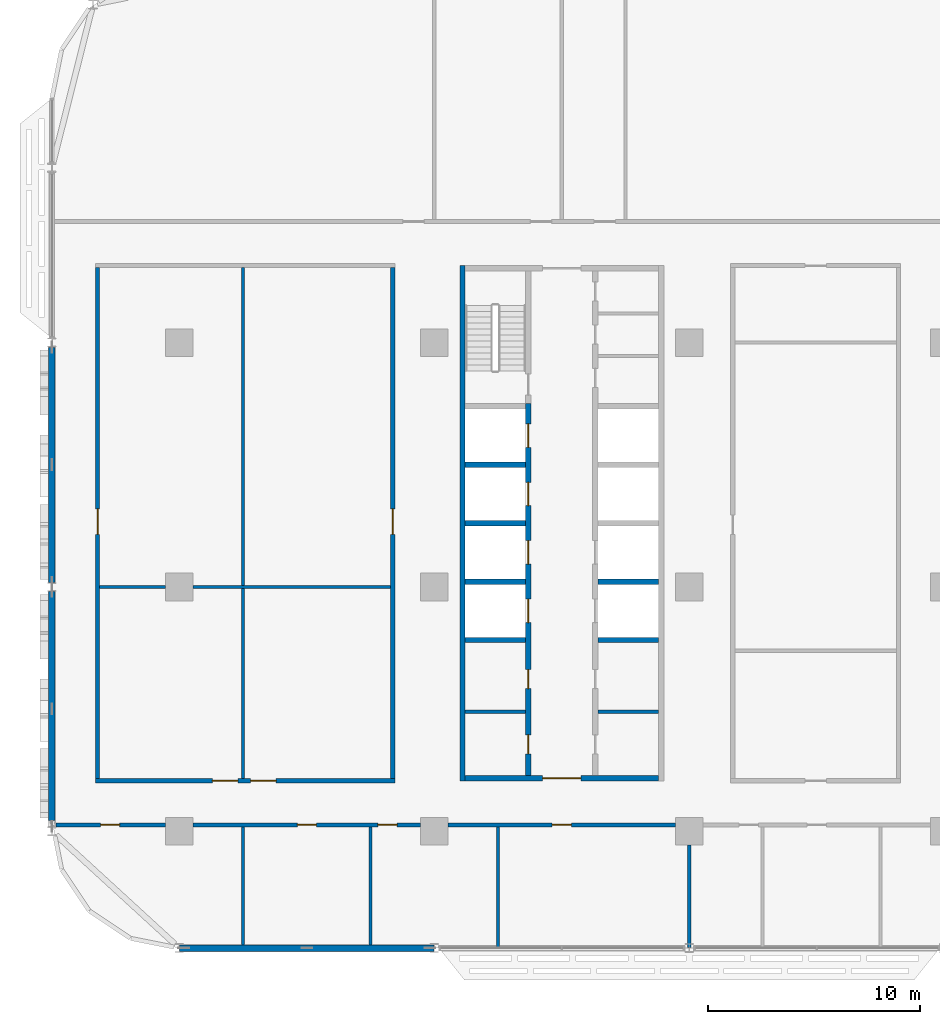
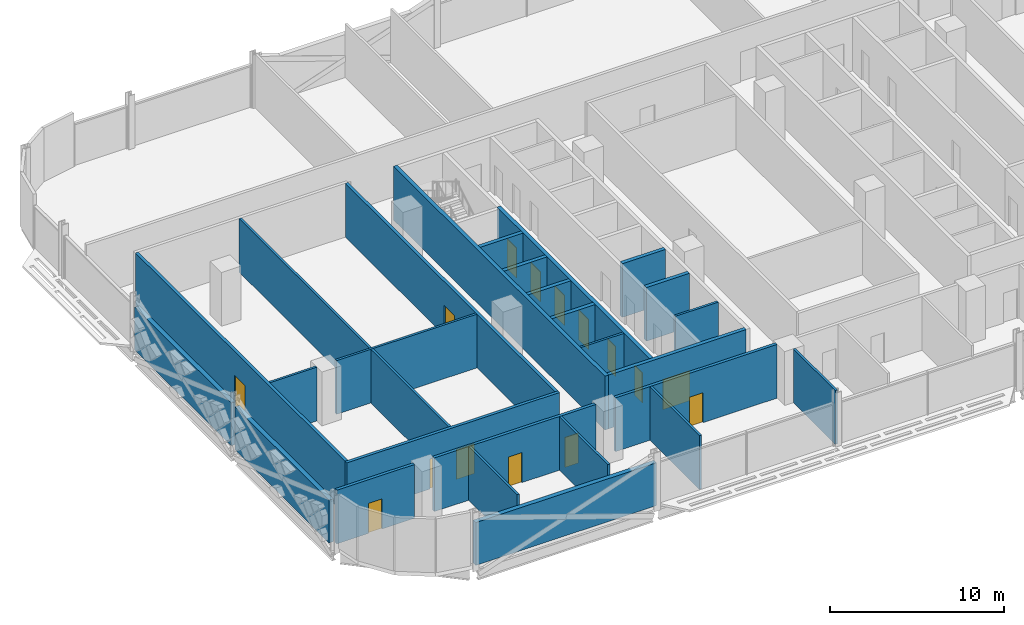
# One storey, part 13 of 29: 27 walls, 15 doors, 15 openings.
"""IFC4 building model written with IfcOpenShell, lengths in metres."""

import ifcopenshell
import ifcopenshell.guid

model = None  # the IFC model being written
_history = None  # IfcOwnerHistory: only IFC2X3 demands one
_inside = {}  # id of a spatial element -> (the spatial element, [elements in it])
_under = {}  # id of a project, library or spatial element -> (it, [spatial elements below it])
_declared = {}  # id of a project -> (the project, [libraries it declares])
_typed = {}  # id of a type object -> (the type object, [elements of that type])
_made_of = {}  # id of a material, layer set ... -> (it, [elements and type objects made of it])


def new_model(schema):
    """Start an empty IFC model of exactly this schema.

    Asked for "IFC4X3", IfcOpenShell would pick the latest addendum, in which some entities
    have other attributes; the version numbers below select the first issue.
    IFC2X3 requires an IfcOwnerHistory on every rooted entity: one is made here for all.
    """
    global model, _history
    if schema == "IFC4X3":
        model = ifcopenshell.file(schema_version=(4, 3, 0, 0))
    else:
        model = ifcopenshell.file(schema=schema)
    _inside.clear()
    _under.clear()
    _declared.clear()
    _typed.clear()
    _made_of.clear()
    _history = None
    if model.schema == "IFC2X3":
        org = make("IfcOrganization", Name="unknown")
        user = make(
            "IfcPersonAndOrganization",
            ThePerson=make("IfcPerson", FamilyName="unknown"),
            TheOrganization=org,
        )
        app = make(
            "IfcApplication",
            ApplicationDeveloper=org,
            Version="unknown",
            ApplicationFullName="unknown",
            ApplicationIdentifier="unknown",
        )
        _history = make(
            "IfcOwnerHistory",
            OwningUser=user,
            OwningApplication=app,
            ChangeAction="ADDED",
            CreationDate=0,
        )
    return model


def make(cls, **values):
    """One entity of the class cls with the attributes given. An attribute that is None is left unset."""
    return model.create_entity(
        cls, **{name: value for name, value in values.items() if value is not None}
    )


def rooted(cls, **values):
    """An entity with a GlobalId (a new one), such as an element, a storey or a relation."""
    return make(cls, GlobalId=ifcopenshell.guid.new(), OwnerHistory=_history, **values)


def si_unit(unit_type, name, prefix=None):
    """IfcSIUnit, for example si_unit("LENGTHUNIT", "METRE", prefix="MILLI")."""
    return make("IfcSIUnit", UnitType=unit_type, Prefix=prefix, Name=name)


def assignment(units):
    """IfcUnitAssignment: the units of a project."""
    return None if units is None else make("IfcUnitAssignment", Units=units)


def point(xyz):
    """IfcCartesianPoint."""
    return None if xyz is None else make("IfcCartesianPoint", Coordinates=xyz)


def direction(xyz):
    """IfcDirection."""
    return None if xyz is None else make("IfcDirection", DirectionRatios=xyz)


def frame(location, z_axis=None, x_axis=None):
    """IfcAxis2Placement3D, a coordinate frame: its origin and axes. An axis left out is left unset."""
    return make(
        "IfcAxis2Placement3D",
        Location=point(location),
        Axis=direction(z_axis),
        RefDirection=direction(x_axis),
    )


def frame_2d(location, x_axis=None):
    """IfcAxis2Placement2D, a coordinate frame in the plane: its origin and x axis."""
    return make(
        "IfcAxis2Placement2D", Location=point(location), RefDirection=direction(x_axis)
    )


def origin():
    """The frame at (0, 0, 0) with its axes left unset."""
    return frame((0.0, 0.0, 0.0))


def place(relative_to, where):
    """IfcLocalPlacement: puts the frame where relative to a parent placement (None: the world)."""
    return make(
        "IfcLocalPlacement", PlacementRelTo=relative_to, RelativePlacement=where
    )


def context(
    kind, dimensions, precision=None, world=None, true_north=None, identifier=None
):
    """IfcGeometricRepresentationContext, for example the 3D "Model" context."""
    return make(
        "IfcGeometricRepresentationContext",
        ContextIdentifier=identifier,
        ContextType=kind,
        CoordinateSpaceDimension=dimensions,
        Precision=precision,
        WorldCoordinateSystem=world,
        TrueNorth=true_north,
    )


def subcontext(parent, identifier, kind, view, scale=None):
    """IfcGeometricRepresentationSubContext, for example "Body" below "Model"."""
    return make(
        "IfcGeometricRepresentationSubContext",
        ContextIdentifier=identifier,
        ContextType=kind,
        ParentContext=parent,
        TargetScale=scale,
        TargetView=view,
    )


def project(units=None, contexts=None):
    """IfcProject with its units and contexts."""
    return rooted(
        "IfcProject",
        Name="project",
        RepresentationContexts=contexts,
        UnitsInContext=assignment(units),
    )


def spatial(cls, under=None, at=None, **own):
    """A site, building, storey or space (cls), placed at a placement, below another one or the project."""
    s = rooted(cls, ObjectPlacement=at, **own)
    if under is not None:
        _under.setdefault(under.id(), (under, []))[1].append(s)
    return s


def profile(cls, at=None, kind="AREA", **sizes):
    """A parametric profile (cls). Its sizes go by their IFC names, for example OverallWidth=200.0."""
    return make(cls, ProfileType=kind, Position=at, **sizes)


def rectangle(**sizes):
    """IfcRectangleProfileDef."""
    return profile("IfcRectangleProfileDef", **sizes)


def extrude(swept, where, along, depth):
    """IfcExtrudedAreaSolid: the profile swept, set in the frame where, extruded along a direction by depth."""
    return make(
        "IfcExtrudedAreaSolid",
        SweptArea=swept,
        Position=where,
        ExtrudedDirection=direction(along),
        Depth=depth,
    )


def shape(context_of_items, identifier, shape_type, items):
    """IfcShapeRepresentation: the items that make up one representation, for example the "Body"."""
    return make(
        "IfcShapeRepresentation",
        ContextOfItems=context_of_items,
        RepresentationIdentifier=identifier,
        RepresentationType=shape_type,
        Items=items,
    )


def material(Name=None, Category=None):
    """IfcMaterial."""
    return make("IfcMaterial", Name=Name, Category=Category)


def layer(
    of_material, thickness, ventilated=None, Name=None, Category=None, Priority=None
):
    """IfcMaterialLayer: one layer of a wall or slab, of a material (None: an air gap)."""
    return make(
        "IfcMaterialLayer",
        Material=of_material,
        LayerThickness=thickness,
        IsVentilated=ventilated,
        Name=Name,
        Category=Category,
        Priority=Priority,
    )


def layer_set(layers, Name=None):
    """IfcMaterialLayerSet."""
    return make("IfcMaterialLayerSet", MaterialLayers=layers, LayerSetName=Name)


def made_of(thing, what):
    """Note that an element or type object is made of a material, layer set ...; save() writes the relation."""
    if what is not None:
        _made_of.setdefault(what.id(), (what, []))[1].append(thing)
    return thing


def type_object(cls, material=None, **own):
    """A type object (cls), such as IfcWallType, which elements share."""
    return made_of(rooted(cls, **own), material)


def element(
    cls,
    number,
    at=None,
    inside=None,
    cuts=None,
    type_object=None,
    material=None,
    context=None,
    identifier="Body",
    shape_type=None,
    held_by="IfcProductDefinitionShape",
    body=None,
    shapes=None,
    **own,
):
    """One element of the class cls, such as IfcWall. Its Tag is "e" and its number.

    at: its placement. inside: the storey or other place that contains it. cuts: it is an
    opening in that element (IfcRelVoidsElement). A single representation is given by context,
    identifier, shape_type and body (its items); several are given by shapes. held_by: the class
    of the entity that holds the representations. save() writes the other relations.
    """
    e = rooted(cls, Tag="e%d" % number, ObjectPlacement=at, **own)
    if body is not None:
        shapes = [shape(context, identifier, shape_type, body)]
    if shapes is not None:
        e.Representation = make(held_by, Representations=shapes)
    if inside is not None:
        _inside.setdefault(inside.id(), (inside, []))[1].append(e)
    if cuts is not None:
        rooted(
            "IfcRelVoidsElement", RelatingBuildingElement=cuts, RelatedOpeningElement=e
        )
    if type_object is not None:
        _typed.setdefault(type_object.id(), (type_object, []))[1].append(e)
    return made_of(e, material)


def fill(opening, filler):
    """IfcRelFillsElement: the door or window that sits in an opening."""
    return rooted(
        "IfcRelFillsElement",
        RelatingOpeningElement=opening,
        RelatedBuildingElement=filler,
    )


def aggregate(whole, parts):
    """IfcRelAggregates: a whole, such as a stair, and the parts it consists of."""
    return rooted("IfcRelAggregates", RelatingObject=whole, RelatedObjects=parts)


def save(model, path):
    """Write the relations noted so far, then the file.

    IfcRelAggregates (storeys below a building ...), IfcRelContainedInSpatialStructure (elements
    in a storey), IfcRelDefinesByType, IfcRelAssociatesMaterial and IfcRelDeclares: one each for
    every whole, place, type object, material and project.
    """
    for whole, parts in _under.values():
        aggregate(whole, parts)
    for where, things in _inside.values():
        rooted(
            "IfcRelContainedInSpatialStructure",
            RelatedElements=things,
            RelatingStructure=where,
        )
    for kind, things in _typed.values():
        rooted("IfcRelDefinesByType", RelatedObjects=things, RelatingType=kind)
    for what, things in _made_of.values():
        rooted("IfcRelAssociatesMaterial", RelatedObjects=things, RelatingMaterial=what)
    for by, libraries in _declared.values():
        rooted("IfcRelDeclares", RelatingContext=by, RelatedDefinitions=libraries)
    model.write(path)


model = new_model("IFC4")

# Units and contexts
model_context = context("Model", 3, precision=1e-05, world=origin(), true_north=direction((0.0, 1.0)))
body_context = subcontext(model_context, "Body", "Model", "MODEL_VIEW")
ifc_project = project(units=[si_unit("LENGTHUNIT", "METRE"), si_unit("AREAUNIT", "SQUARE_METRE"), si_unit("VOLUMEUNIT", "CUBIC_METRE"), si_unit("PLANEANGLEUNIT", "RADIAN"), si_unit("MASSUNIT", "GRAM", prefix="KILO")], contexts=[model_context])

# Site, building, storey
site_placement = place(None, origin())
site = spatial("IfcSite", under=ifc_project, at=site_placement, CompositionType="ELEMENT")
building_placement = place(site_placement, origin())
building = spatial("IfcBuilding", under=site, at=building_placement, Name="Mahtab Terrace Research Tower", CompositionType="ELEMENT")
storey_placement = place(building_placement, frame((0.0, 0.0, 146.60009765625)))
storey = spatial("IfcBuildingStorey", under=building, at=storey_placement, Name="L34", CompositionType="ELEMENT", Elevation=146.60009765625)

# Walls
ifc_material_1 = material(Name="Gypsum board partition")
ifc_layer_1 = layer(ifc_material_1, 0.14990234375)
ifc_layer_set_1 = layer_set([ifc_layer_1], Name="Core partition 150")
wall_type_1 = type_object("IfcWallType", Name="Core partition 150", PredefinedType="PARTITIONING", material=ifc_layer_set_1)
for number, where, z_axis, x_axis, name in (
    (1, (-28.550048828125, -5.875, 0.0), (0.0, 0.0, 1.0), (1.0, 0.0, 0.0), "Core wall A pWS-888"),
    (2, (-22.300048828125, -5.875, 0.0), (0.0, 0.0, 1.0), (1.0, 0.0, 0.0), "Core wall A pES-888"),
):
    element("IfcWall", number, at=place(storey_placement, frame(where, z_axis=z_axis, x_axis=x_axis)), inside=storey, type_object=wall_type_1, Name=name, PredefinedType="PARTITIONING", context=body_context, shape_type="SweptSolid", body=[
        extrude(rectangle(XDim=2.85009765625, YDim=0.14990234375, at=frame_2d((1.425048828125, 0.0))), origin(), (0.0, 0.0, 1.0), 3.760009765625),
    ])
ifc_material_2 = material(Name="Concrete C70/85", Category="concrete")
ifc_layer_2 = layer(ifc_material_2, 0.25)
ifc_layer_set_2 = layer_set([ifc_layer_2], Name="Core wall 250")
wall_type_2 = type_object("IfcWallType", Name="Core wall 250", PredefinedType="SOLIDWALL", material=ifc_layer_set_2)
wall_1_placement = place(storey_placement, frame((-28.675048828125, 15.125, 0.0), z_axis=(0.0, 0.0, 1.0), x_axis=(0.0, -1.0, 0.0)))
element("IfcWall", 3, at=wall_1_placement, inside=storey, type_object=wall_type_2, Name="Core wall A outerW", PredefinedType="SOLIDWALL", context=body_context, shape_type="SweptSolid", body=[
    extrude(rectangle(XDim=24.25, YDim=0.25, at=frame_2d((12.125, 0.0))), origin(), (0.0, 0.0, 1.0), 3.760009765625),
])

# Wall, opening, door
wall_2_placement = place(storey_placement, frame((-19.449951171875, -9.0, 0.0), z_axis=(0.0, 0.0, 1.0), x_axis=(-1.0, 0.0, 0.0)))
wall_2 = element("IfcWall", 4, at=wall_2_placement, inside=storey, type_object=wall_type_2, Name="Core wall A endS", PredefinedType="SOLIDWALL", context=body_context, shape_type="SweptSolid", body=[
    extrude(rectangle(XDim=9.10009765625, YDim=0.25, at=frame_2d((4.550048828125, 0.0))), origin(), (0.0, 0.0, 1.0), 3.760009765625),
])
opening_1_placement = place(wall_2_placement, frame((3.64990234375, 0.0, 0.0)))
opening_1 = element("IfcOpeningElement", 5, at=opening_1_placement, cuts=wall_2, Name="Opening A-S1", PredefinedType="OPENING", context=body_context, shape_type="SweptSolid", body=[
    extrude(rectangle(XDim=1.800048828125, YDim=2.10009765625, at=frame_2d((0.89990234375, 1.050048828125))), frame((0.0, 0.135009765625, 0.0), z_axis=(0.0, -1.0, 0.0), x_axis=(1.0, 0.0, 0.0)), (0.0, 0.0, 1.0), 0.27001953125),
])
ifc_material_3 = material(Name="Steel fire door", Category="steel")
door_type_1 = type_object("IfcDoorType", Name="Lobby double door 1800x2100 1 HR", OperationType="DOUBLE_DOOR_SINGLE_SWING", PredefinedType="DOOR", material=ifc_material_3)
door_1_placement = place(opening_1_placement, origin())
door_1 = element("IfcDoor", 6, at=door_1_placement, inside=storey, type_object=door_type_1, Name="Core entrance door A S", OperationType="DOUBLE_DOOR_SINGLE_SWING", OverallHeight=2.10009765625, OverallWidth=1.800048828125, PredefinedType="DOOR", context=body_context, shape_type="SweptSolid", body=[
    extrude(rectangle(XDim=1.800048828125, YDim=2.10009765625, at=frame_2d((0.89990234375, 1.050048828125))), frame((0.0, 0.02490234375, 0.0), z_axis=(0.0, -1.0, 0.0), x_axis=(1.0, 0.0, 0.0)), (0.0, 0.0, 1.0), 0.050048828125),
])
fill(opening_1, door_1)

# Wall, openings, doors
wall_3_placement = place(storey_placement, frame((-25.574951171875, -8.875, 0.0), z_axis=(0.0, 0.0, 1.0), x_axis=(0.0, 1.0, 0.0)))
wall_3 = element("IfcWall", 7, at=wall_3_placement, inside=storey, type_object=wall_type_2, Name="Core wall A innerWSL", PredefinedType="SOLIDWALL", context=body_context, shape_type="SweptSolid", body=[
    extrude(rectangle(XDim=17.5, YDim=0.25, at=frame_2d((8.75, 0.0))), origin(), (0.0, 0.0, 1.0), 3.760009765625),
])
opening_2_placement = place(wall_3_placement, frame((7.199951171875, 0.0, 0.0)))
opening_2 = element("IfcOpeningElement", 8, at=opening_2_placement, cuts=wall_3, Name="Opening LD01-L34", PredefinedType="OPENING", context=body_context, shape_type="SweptSolid", body=[
    extrude(rectangle(XDim=1.10009765625, YDim=2.10009765625, at=frame_2d((0.550048828125, 1.050048828125))), frame((0.0, 0.135009765625, 0.0), z_axis=(0.0, -1.0, 0.0), x_axis=(1.0, 0.0, 0.0)), (0.0, 0.0, 1.0), 0.27001953125),
])
opening_3_placement = place(wall_3_placement, frame((9.949951171875, 0.0, 0.0)))
opening_3 = element("IfcOpeningElement", 9, at=opening_3_placement, cuts=wall_3, Name="Opening LD02-L34", PredefinedType="OPENING", context=body_context, shape_type="SweptSolid", body=[
    extrude(rectangle(XDim=1.10009765625, YDim=2.10009765625, at=frame_2d((0.550048828125, 1.050048828125))), frame((0.0, 0.135009765625, 0.0), z_axis=(0.0, -1.0, 0.0), x_axis=(1.0, 0.0, 0.0)), (0.0, 0.0, 1.0), 0.27001953125),
])
opening_4_placement = place(wall_3_placement, frame((12.699951171875, 0.0, 0.0)))
opening_4 = element("IfcOpeningElement", 10, at=opening_4_placement, cuts=wall_3, Name="Opening LD03-L34", PredefinedType="OPENING", context=body_context, shape_type="SweptSolid", body=[
    extrude(rectangle(XDim=1.10009765625, YDim=2.10009765625, at=frame_2d((0.550048828125, 1.050048828125))), frame((0.0, 0.135009765625, 0.0), z_axis=(0.0, -1.0, 0.0), x_axis=(1.0, 0.0, 0.0)), (0.0, 0.0, 1.0), 0.27001953125),
])
opening_5_placement = place(wall_3_placement, frame((15.449951171875, 0.0, 0.0)))
opening_5 = element("IfcOpeningElement", 11, at=opening_5_placement, cuts=wall_3, Name="Opening LD04-L34", PredefinedType="OPENING", context=body_context, shape_type="SweptSolid", body=[
    extrude(rectangle(XDim=1.10009765625, YDim=2.10009765625, at=frame_2d((0.550048828125, 1.050048828125))), frame((0.0, 0.135009765625, 0.0), z_axis=(0.0, -1.0, 0.0), x_axis=(1.0, 0.0, 0.0)), (0.0, 0.0, 1.0), 0.27001953125),
])
opening_6_placement = place(wall_3_placement, frame((1.012451171875, 0.0, 0.0)))
opening_6 = element("IfcOpeningElement", 12, at=opening_6_placement, cuts=wall_3, Name="Opening A-R1", PredefinedType="OPENING", context=body_context, shape_type="SweptSolid", body=[
    extrude(rectangle(XDim=0.89990234375, YDim=2.10009765625, at=frame_2d((0.449951171875, 1.050048828125))), frame((0.0, 0.135009765625, 0.0), z_axis=(0.0, -1.0, 0.0), x_axis=(1.0, 0.0, 0.0)), (0.0, 0.0, 1.0), 0.27001953125),
])
opening_7_placement = place(wall_3_placement, frame((4.08740234375, 0.0, 0.0)))
opening_7 = element("IfcOpeningElement", 13, at=opening_7_placement, cuts=wall_3, Name="Opening A-R2", PredefinedType="OPENING", context=body_context, shape_type="SweptSolid", body=[
    extrude(rectangle(XDim=0.89990234375, YDim=2.10009765625, at=frame_2d((0.449951171875, 1.050048828125))), frame((0.0, 0.135009765625, 0.0), z_axis=(0.0, -1.0, 0.0), x_axis=(1.0, 0.0, 0.0)), (0.0, 0.0, 1.0), 0.27001953125),
])
ifc_material_4 = material(Name="Stainless steel AISI 304", Category="steel")
door_type_2 = type_object("IfcDoorType", Name="Landing door 1100x2100", OperationType="DOUBLE_DOOR_SLIDING", PredefinedType="DOOR", material=ifc_material_4)
door_2_placement = place(opening_2_placement, origin())
door_2 = element("IfcDoor", 14, at=door_2_placement, inside=storey, type_object=door_type_2, Name="Landing door LR1 L34", OperationType="DOUBLE_DOOR_SLIDING", OverallHeight=2.10009765625, OverallWidth=1.10009765625, PredefinedType="DOOR", context=body_context, shape_type="SweptSolid", body=[
    extrude(rectangle(XDim=1.10009765625, YDim=2.10009765625, at=frame_2d((0.550048828125, 1.050048828125))), frame((0.0, 0.02490234375, 0.0), z_axis=(0.0, -1.0, 0.0), x_axis=(1.0, 0.0, 0.0)), (0.0, 0.0, 1.0), 0.050048828125),
])
fill(opening_2, door_2)
door_3_placement = place(opening_3_placement, origin())
door_3 = element("IfcDoor", 15, at=door_3_placement, inside=storey, type_object=door_type_2, Name="Landing door LR2 L34", OperationType="DOUBLE_DOOR_SLIDING", OverallHeight=2.10009765625, OverallWidth=1.10009765625, PredefinedType="DOOR", context=body_context, shape_type="SweptSolid", body=[
    extrude(rectangle(XDim=1.10009765625, YDim=2.10009765625, at=frame_2d((0.550048828125, 1.050048828125))), frame((0.0, 0.02490234375, 0.0), z_axis=(0.0, -1.0, 0.0), x_axis=(1.0, 0.0, 0.0)), (0.0, 0.0, 1.0), 0.050048828125),
])
fill(opening_3, door_3)
door_4_placement = place(opening_4_placement, origin())
door_4 = element("IfcDoor", 16, at=door_4_placement, inside=storey, type_object=door_type_2, Name="Landing door LR3 L34", OperationType="DOUBLE_DOOR_SLIDING", OverallHeight=2.10009765625, OverallWidth=1.10009765625, PredefinedType="DOOR", context=body_context, shape_type="SweptSolid", body=[
    extrude(rectangle(XDim=1.10009765625, YDim=2.10009765625, at=frame_2d((0.550048828125, 1.050048828125))), frame((0.0, 0.02490234375, 0.0), z_axis=(0.0, -1.0, 0.0), x_axis=(1.0, 0.0, 0.0)), (0.0, 0.0, 1.0), 0.050048828125),
])
fill(opening_4, door_4)
door_5_placement = place(opening_5_placement, origin())
door_5 = element("IfcDoor", 17, at=door_5_placement, inside=storey, type_object=door_type_2, Name="Landing door LR4 L34", OperationType="DOUBLE_DOOR_SLIDING", OverallHeight=2.10009765625, OverallWidth=1.10009765625, PredefinedType="DOOR", context=body_context, shape_type="SweptSolid", body=[
    extrude(rectangle(XDim=1.10009765625, YDim=2.10009765625, at=frame_2d((0.550048828125, 1.050048828125))), frame((0.0, 0.02490234375, 0.0), z_axis=(0.0, -1.0, 0.0), x_axis=(1.0, 0.0, 0.0)), (0.0, 0.0, 1.0), 0.050048828125),
])
fill(opening_5, door_5)
door_type_3 = type_object("IfcDoorType", Name="Room door 900x2100 1 HR", OperationType="NOTDEFINED", PredefinedType="DOOR", material=ifc_material_3)
door_6_placement = place(opening_6_placement, origin())
door_6 = element("IfcDoor", 18, at=door_6_placement, inside=storey, type_object=door_type_3, Name="Staff WC door", OperationType="SINGLE_SWING_LEFT", OverallHeight=2.10009765625, OverallWidth=0.89990234375, PredefinedType="DOOR", context=body_context, shape_type="SweptSolid", body=[
    extrude(rectangle(XDim=0.89990234375, YDim=2.10009765625, at=frame_2d((0.449951171875, 1.050048828125))), frame((0.0, 0.02490234375, 0.0), z_axis=(0.0, -1.0, 0.0), x_axis=(1.0, 0.0, 0.0)), (0.0, 0.0, 1.0), 0.050048828125),
])
fill(opening_6, door_6)
door_7_placement = place(opening_7_placement, origin())
door_7 = element("IfcDoor", 19, at=door_7_placement, inside=storey, type_object=door_type_3, Name="Accessible WC door", OperationType="SINGLE_SWING_RIGHT", OverallHeight=2.10009765625, OverallWidth=0.89990234375, PredefinedType="DOOR", context=body_context, shape_type="SweptSolid", body=[
    extrude(rectangle(XDim=0.89990234375, YDim=2.10009765625, at=frame_2d((0.449951171875, 1.050048828125))), frame((0.0, 0.02490234375, 0.0), z_axis=(0.0, -1.0, 0.0), x_axis=(1.0, 0.0, 0.0)), (0.0, 0.0, 1.0), 0.050048828125),
])
fill(opening_7, door_7)

# Walls
for number, where, z_axis, x_axis, name in (
    (20, (-28.550048828125, -2.5, 0.0), (0.0, 0.0, 1.0), (1.0, 0.0, 0.0), "Core wall A divW0"),
    (21, (-28.550048828125, 0.25, 0.0), (0.0, 0.0, 1.0), (1.0, 0.0, 0.0), "Core wall A divW1"),
    (22, (-28.550048828125, 3.0, 0.0), (0.0, 0.0, 1.0), (1.0, 0.0, 0.0), "Core wall A divW2"),
    (23, (-28.550048828125, 5.75, 0.0), (0.0, 0.0, 1.0), (1.0, 0.0, 0.0), "Core wall A divW3"),
    (24, (-22.300048828125, -2.5, 0.0), (0.0, 0.0, 1.0), (1.0, 0.0, 0.0), "Core wall A divE0"),
    (25, (-22.300048828125, 0.25, 0.0), (0.0, 0.0, 1.0), (1.0, 0.0, 0.0), "Core wall A divE1"),
):
    element("IfcWall", number, at=place(storey_placement, frame(where, z_axis=z_axis, x_axis=x_axis)), inside=storey, type_object=wall_type_2, Name=name, PredefinedType="SOLIDWALL", context=body_context, shape_type="SweptSolid", body=[
        extrude(rectangle(XDim=2.85009765625, YDim=0.25, at=frame_2d((1.425048828125, 0.0))), origin(), (0.0, 0.0, 1.0), 3.760009765625),
    ])
ifc_material_5 = material(Name="Black aluminium cladding panel", Category="aluminium")
ifc_layer_3 = layer(ifc_material_5, 0.300048828125)
ifc_layer_set_3 = layer_set([ifc_layer_3], Name="Opaque facade wall 300")
wall_type_3 = type_object("IfcWallType", Name="Opaque facade wall 300", PredefinedType="NOTDEFINED", material=ifc_layer_set_3)
wall_4_placement = place(storey_placement, frame((-48.0, 11.281982421875, 0.0), z_axis=(0.0, 0.0, 1.0), x_axis=(0.0, -1.0, 0.0)))
element("IfcWall", 26, at=wall_4_placement, inside=storey, type_object=wall_type_3, Name="Opaque facade wall L34 W17", PredefinedType="NOTDEFINED", context=body_context, shape_type="SweptSolid", body=[
    extrude(rectangle(XDim=11.06396484375, YDim=0.300048828125, at=frame_2d((5.531982421875, 0.0))), origin(), (0.0, 0.0, 1.0), 3.0029296875),
])
wall_5_placement = place(storey_placement, frame((-48.0, -0.218017578125, 0.0), z_axis=(0.0, 0.0, 1.0), x_axis=(0.0, -1.0, 0.0)))
element("IfcWall", 27, at=wall_5_placement, inside=storey, type_object=wall_type_3, Name="Opaque facade wall L34 W18", PredefinedType="NOTDEFINED", context=body_context, shape_type="SweptSolid", body=[
    extrude(rectangle(XDim=10.781982421875, YDim=0.300048828125, at=frame_2d((5.39111328125, 0.0))), origin(), (0.0, 0.0, 1.0), 3.0029296875),
])
wall_6_placement = place(storey_placement, frame((-41.982177734375, -17.0, 0.0), z_axis=(0.0, 0.0, 1.0), x_axis=(1.0, 0.0, 0.0)))
element("IfcWall", 28, at=wall_6_placement, inside=storey, type_object=wall_type_3, Name="Opaque facade wall L34 S24", PredefinedType="NOTDEFINED", context=body_context, shape_type="SweptSolid", body=[
    extrude(rectangle(XDim=11.96435546875, YDim=0.300048828125, at=frame_2d((5.982177734375, 0.0))), origin(), (0.0, 0.0, 1.0), 3.0029296875),
])

# Wall, opening, door
ifc_material_6 = material(Name="Gypsum board corridor wall on steel studs", Category="steel")
ifc_layer_4 = layer(ifc_material_6, 0.199951171875)
ifc_layer_set_4 = layer_set([ifc_layer_4], Name="WALL CORRIDOR 200")
wall_type_4 = type_object("IfcWallType", Name="WALL CORRIDOR 200", PredefinedType="PARTITIONING", material=ifc_layer_set_4)
wall_7_placement = place(storey_placement, frame((-47.807373046875, -11.199951171875, 0.0), z_axis=(0.0, 0.0, 1.0), x_axis=(1.0, 0.0, 0.0)))
wall_7 = element("IfcWall", 29, at=wall_7_placement, inside=storey, type_object=wall_type_4, Name="L34-W001", PredefinedType="PARTITIONING", context=body_context, shape_type="SweptSolid", body=[
    extrude(rectangle(XDim=5.157470703125, YDim=0.199951171875, at=frame_2d((2.57861328125, 0.0))), origin(), (0.0, 0.0, 1.0), 3.760009765625),
])
opening_8_placement = place(wall_7_placement, frame((2.10009765625, 0.0, 0.0)))
opening_8 = element("IfcOpeningElement", 30, at=opening_8_placement, cuts=wall_7, Name="Opening L34-101", PredefinedType="OPENING", context=body_context, shape_type="SweptSolid", body=[
    extrude(rectangle(XDim=0.89990234375, YDim=2.10009765625, at=frame_2d((0.449951171875, 1.050048828125))), frame((0.0, 0.10986328125, 0.0), z_axis=(0.0, -1.0, 0.0), x_axis=(1.0, 0.0, 0.0)), (0.0, 0.0, 1.0), 0.219970703125),
])
ifc_material_7 = material(Name="Timber door leaf in steel frame", Category="steel")
door_type_4 = type_object("IfcDoorType", Name="DOOR 0900X2100 FD30S", OperationType="SINGLE_SWING_LEFT", PredefinedType="DOOR", material=ifc_material_7)
door_8_placement = place(opening_8_placement, origin())
door_8 = element("IfcDoor", 31, at=door_8_placement, inside=storey, type_object=door_type_4, Name="Door L34-101", OperationType="SINGLE_SWING_RIGHT", OverallHeight=2.10009765625, OverallWidth=0.89990234375, PredefinedType="DOOR", context=body_context, shape_type="SweptSolid", body=[
    extrude(rectangle(XDim=0.89990234375, YDim=2.10009765625, at=frame_2d((0.449951171875, 1.050048828125))), frame((0.0, 0.02490234375, 0.0), z_axis=(0.0, -1.0, 0.0), x_axis=(1.0, 0.0, 0.0)), (0.0, 0.0, 1.0), 0.050048828125),
])
fill(opening_8, door_8)

# Wall, openings, doors
wall_8_placement = place(storey_placement, frame((-41.35009765625, -11.199951171875, 0.0), z_axis=(0.0, 0.0, 1.0), x_axis=(1.0, 0.0, 0.0)))
wall_8 = element("IfcWall", 32, at=wall_8_placement, inside=storey, type_object=wall_type_4, Name="L34-W002", PredefinedType="PARTITIONING", context=body_context, shape_type="SweptSolid", body=[
    extrude(rectangle(XDim=10.7001953125, YDim=0.199951171875, at=frame_2d((5.35009765625, 0.0))), origin(), (0.0, 0.0, 1.0), 3.760009765625),
])
opening_9_placement = place(wall_8_placement, frame((4.89990234375, 0.0, 0.0)))
opening_9 = element("IfcOpeningElement", 33, at=opening_9_placement, cuts=wall_8, Name="Opening L34-102", PredefinedType="OPENING", context=body_context, shape_type="SweptSolid", body=[
    extrude(rectangle(XDim=0.89990234375, YDim=2.10009765625, at=frame_2d((0.449951171875, 1.050048828125))), frame((0.0, 0.10986328125, 0.0), z_axis=(0.0, -1.0, 0.0), x_axis=(1.0, 0.0, 0.0)), (0.0, 0.0, 1.0), 0.219970703125),
])
opening_10_placement = place(wall_8_placement, frame((8.699951171875, 0.0, 0.0)))
opening_10 = element("IfcOpeningElement", 34, at=opening_10_placement, cuts=wall_8, Name="Opening L34-103", PredefinedType="OPENING", context=body_context, shape_type="SweptSolid", body=[
    extrude(rectangle(XDim=0.89990234375, YDim=2.10009765625, at=frame_2d((0.449951171875, 1.050048828125))), frame((0.0, 0.10986328125, 0.0), z_axis=(0.0, -1.0, 0.0), x_axis=(1.0, 0.0, 0.0)), (0.0, 0.0, 1.0), 0.219970703125),
])
door_9_placement = place(opening_9_placement, origin())
door_9 = element("IfcDoor", 35, at=door_9_placement, inside=storey, type_object=door_type_4, Name="Door L34-102", OperationType="SINGLE_SWING_RIGHT", OverallHeight=2.10009765625, OverallWidth=0.89990234375, PredefinedType="DOOR", context=body_context, shape_type="SweptSolid", body=[
    extrude(rectangle(XDim=0.89990234375, YDim=2.10009765625, at=frame_2d((0.449951171875, 1.050048828125))), frame((0.0, 0.02490234375, 0.0), z_axis=(0.0, -1.0, 0.0), x_axis=(1.0, 0.0, 0.0)), (0.0, 0.0, 1.0), 0.050048828125),
])
fill(opening_9, door_9)
door_10_placement = place(opening_10_placement, origin())
door_10 = element("IfcDoor", 36, at=door_10_placement, inside=storey, type_object=door_type_4, Name="Door L34-103", OperationType="SINGLE_SWING_LEFT", OverallHeight=2.10009765625, OverallWidth=0.89990234375, PredefinedType="DOOR", context=body_context, shape_type="SweptSolid", body=[
    extrude(rectangle(XDim=0.89990234375, YDim=2.10009765625, at=frame_2d((0.449951171875, 1.050048828125))), frame((0.0, 0.02490234375, 0.0), z_axis=(0.0, -1.0, 0.0), x_axis=(1.0, 0.0, 0.0)), (0.0, 0.0, 1.0), 0.050048828125),
])
fill(opening_10, door_10)

# Wall, opening, door
wall_9_placement = place(storey_placement, frame((-29.35009765625, -11.199951171875, 0.0), z_axis=(0.0, 0.0, 1.0), x_axis=(1.0, 0.0, 0.0)))
wall_9 = element("IfcWall", 37, at=wall_9_placement, inside=storey, type_object=wall_type_4, Name="L34-W003", PredefinedType="PARTITIONING", context=body_context, shape_type="SweptSolid", body=[
    extrude(rectangle(XDim=10.7001953125, YDim=0.199951171875, at=frame_2d((5.35009765625, 0.0))), origin(), (0.0, 0.0, 1.0), 3.760009765625),
])
opening_11_placement = place(wall_9_placement, frame((4.89990234375, 0.0, 0.0)))
opening_11 = element("IfcOpeningElement", 38, at=opening_11_placement, cuts=wall_9, Name="Opening L34-104", PredefinedType="OPENING", context=body_context, shape_type="SweptSolid", body=[
    extrude(rectangle(XDim=0.89990234375, YDim=2.10009765625, at=frame_2d((0.449951171875, 1.050048828125))), frame((0.0, 0.10986328125, 0.0), z_axis=(0.0, -1.0, 0.0), x_axis=(1.0, 0.0, 0.0)), (0.0, 0.0, 1.0), 0.219970703125),
])
door_11_placement = place(opening_11_placement, origin())
door_11 = element("IfcDoor", 39, at=door_11_placement, inside=storey, type_object=door_type_4, Name="Door L34-104", OperationType="SINGLE_SWING_RIGHT", OverallHeight=2.10009765625, OverallWidth=0.89990234375, PredefinedType="DOOR", context=body_context, shape_type="SweptSolid", body=[
    extrude(rectangle(XDim=0.89990234375, YDim=2.10009765625, at=frame_2d((0.449951171875, 1.050048828125))), frame((0.0, 0.02490234375, 0.0), z_axis=(0.0, -1.0, 0.0), x_axis=(1.0, 0.0, 0.0)), (0.0, 0.0, 1.0), 0.050048828125),
])
fill(opening_11, door_11)

# Wall, openings, doors
wall_10_placement = place(storey_placement, frame((-45.949951171875, -9.125, 0.0), z_axis=(0.0, 0.0, 1.0), x_axis=(1.0, 0.0, 0.0)))
wall_10 = element("IfcWall", 40, at=wall_10_placement, inside=storey, type_object=wall_type_4, Name="L34-W010", PredefinedType="PARTITIONING", context=body_context, shape_type="SweptSolid", body=[
    extrude(rectangle(XDim=14.099853515625, YDim=0.199951171875, at=frame_2d((7.0498046875, 0.0))), origin(), (0.0, 0.0, 1.0), 3.760009765625),
])
opening_12_placement = place(wall_10_placement, frame((5.5, 0.0, 0.0)))
opening_12 = element("IfcOpeningElement", 41, at=opening_12_placement, cuts=wall_10, Name="Opening L34-119", PredefinedType="OPENING", context=body_context, shape_type="SweptSolid", body=[
    extrude(rectangle(XDim=1.199951171875, YDim=2.10009765625, at=frame_2d((0.60009765625, 1.050048828125))), frame((0.0, 0.10986328125, 0.0), z_axis=(0.0, -1.0, 0.0), x_axis=(1.0, 0.0, 0.0)), (0.0, 0.0, 1.0), 0.219970703125),
])
opening_13_placement = place(wall_10_placement, frame((7.300048828125, 0.0, 0.0)))
opening_13 = element("IfcOpeningElement", 42, at=opening_13_placement, cuts=wall_10, Name="Opening L34-120", PredefinedType="OPENING", context=body_context, shape_type="SweptSolid", body=[
    extrude(rectangle(XDim=1.199951171875, YDim=2.10009765625, at=frame_2d((0.60009765625, 1.050048828125))), frame((0.0, 0.10986328125, 0.0), z_axis=(0.0, -1.0, 0.0), x_axis=(1.0, 0.0, 0.0)), (0.0, 0.0, 1.0), 0.219970703125),
])
door_type_5 = type_object("IfcDoorType", Name="DOOR 1200X2100 FD30S", OperationType="SINGLE_SWING_LEFT", PredefinedType="DOOR", material=ifc_material_7)
door_12_placement = place(opening_12_placement, origin())
door_12 = element("IfcDoor", 43, at=door_12_placement, inside=storey, type_object=door_type_5, Name="Door L34-119", OperationType="SINGLE_SWING_LEFT", OverallHeight=2.10009765625, OverallWidth=1.199951171875, PredefinedType="DOOR", context=body_context, shape_type="SweptSolid", body=[
    extrude(rectangle(XDim=1.199951171875, YDim=2.10009765625, at=frame_2d((0.60009765625, 1.050048828125))), frame((0.0, 0.02490234375, 0.0), z_axis=(0.0, -1.0, 0.0), x_axis=(1.0, 0.0, 0.0)), (0.0, 0.0, 1.0), 0.050048828125),
])
fill(opening_12, door_12)
door_13_placement = place(opening_13_placement, origin())
door_13 = element("IfcDoor", 44, at=door_13_placement, inside=storey, type_object=door_type_5, Name="Door L34-120", OperationType="SINGLE_SWING_RIGHT", OverallHeight=2.10009765625, OverallWidth=1.199951171875, PredefinedType="DOOR", context=body_context, shape_type="SweptSolid", body=[
    extrude(rectangle(XDim=1.199951171875, YDim=2.10009765625, at=frame_2d((0.60009765625, 1.050048828125))), frame((0.0, 0.02490234375, 0.0), z_axis=(0.0, -1.0, 0.0), x_axis=(1.0, 0.0, 0.0)), (0.0, 0.0, 1.0), 0.050048828125),
])
fill(opening_13, door_13)

# Wall, opening, door
wall_11_placement = place(storey_placement, frame((-45.85009765625, -9.02490234375, 0.0), z_axis=(0.0, 0.0, 1.0), x_axis=(0.0, 1.0, 0.0)))
wall_11 = element("IfcWall", 45, at=wall_11_placement, inside=storey, type_object=wall_type_4, Name="L34-W027", PredefinedType="PARTITIONING", context=body_context, shape_type="SweptSolid", body=[
    extrude(rectangle(XDim=24.0498046875, YDim=0.199951171875, at=frame_2d((12.02490234375, 0.0))), origin(), (0.0, 0.0, 1.0), 3.760009765625),
])
opening_14_placement = place(wall_11_placement, frame((11.5, 0.0, 0.0)))
opening_14 = element("IfcOpeningElement", 46, at=opening_14_placement, cuts=wall_11, Name="Opening L34-125", PredefinedType="OPENING", context=body_context, shape_type="SweptSolid", body=[
    extrude(rectangle(XDim=1.199951171875, YDim=2.10009765625, at=frame_2d((0.60009765625, 1.050048828125))), frame((0.0, 0.10986328125, 0.0), z_axis=(0.0, -1.0, 0.0), x_axis=(1.0, 0.0, 0.0)), (0.0, 0.0, 1.0), 0.219970703125),
])
door_14_placement = place(opening_14_placement, origin())
door_14 = element("IfcDoor", 47, at=door_14_placement, inside=storey, type_object=door_type_5, Name="Door L34-125", OperationType="SINGLE_SWING_LEFT", OverallHeight=2.10009765625, OverallWidth=1.199951171875, PredefinedType="DOOR", context=body_context, shape_type="SweptSolid", body=[
    extrude(rectangle(XDim=1.199951171875, YDim=2.10009765625, at=frame_2d((0.60009765625, 1.050048828125))), frame((0.0, 0.02490234375, 0.0), z_axis=(0.0, -1.0, 0.0), x_axis=(1.0, 0.0, 0.0)), (0.0, 0.0, 1.0), 0.050048828125),
])
fill(opening_14, door_14)

wall_12_placement = place(storey_placement, frame((-31.949951171875, -9.02490234375, 0.0), z_axis=(0.0, 0.0, 1.0), x_axis=(0.0, 1.0, 0.0)))
wall_12 = element("IfcWall", 48, at=wall_12_placement, inside=storey, type_object=wall_type_4, Name="L34-W031", PredefinedType="PARTITIONING", context=body_context, shape_type="SweptSolid", body=[
    extrude(rectangle(XDim=24.0498046875, YDim=0.199951171875, at=frame_2d((12.02490234375, 0.0))), origin(), (0.0, 0.0, 1.0), 3.760009765625),
])
opening_15_placement = place(wall_12_placement, frame((11.5, 0.0, 0.0)))
opening_15 = element("IfcOpeningElement", 49, at=opening_15_placement, cuts=wall_12, Name="Opening L34-126", PredefinedType="OPENING", context=body_context, shape_type="SweptSolid", body=[
    extrude(rectangle(XDim=1.199951171875, YDim=2.10009765625, at=frame_2d((0.60009765625, 1.050048828125))), frame((0.0, 0.10986328125, 0.0), z_axis=(0.0, -1.0, 0.0), x_axis=(1.0, 0.0, 0.0)), (0.0, 0.0, 1.0), 0.219970703125),
])
door_15_placement = place(opening_15_placement, origin())
door_15 = element("IfcDoor", 50, at=door_15_placement, inside=storey, type_object=door_type_5, Name="Door L34-126", OperationType="SINGLE_SWING_RIGHT", OverallHeight=2.10009765625, OverallWidth=1.199951171875, PredefinedType="DOOR", context=body_context, shape_type="SweptSolid", body=[
    extrude(rectangle(XDim=1.199951171875, YDim=2.10009765625, at=frame_2d((0.60009765625, 1.050048828125))), frame((0.0, 0.02490234375, 0.0), z_axis=(0.0, -1.0, 0.0), x_axis=(1.0, 0.0, 0.0)), (0.0, 0.0, 1.0), 0.050048828125),
])
fill(opening_15, door_15)

# Walls
ifc_material_8 = material(Name="Gypsum board partition on steel studs", Category="steel")
ifc_layer_5 = layer(ifc_material_8, 0.14990234375)
ifc_layer_set_5 = layer_set([ifc_layer_5], Name="WALL PARTITION 150")
wall_type_5 = type_object("IfcWallType", Name="WALL PARTITION 150", PredefinedType="PARTITIONING", material=ifc_layer_set_5)
wall_13_placement = place(storey_placement, frame((-45.75, 0.0, 0.0), z_axis=(0.0, 0.0, 1.0), x_axis=(1.0, 0.0, 0.0)))
element("IfcWall", 51, at=wall_13_placement, inside=storey, type_object=wall_type_5, Name="L34-W016", PredefinedType="PARTITIONING", context=body_context, shape_type="SweptSolid", body=[
    extrude(rectangle(XDim=3.10009765625, YDim=0.14990234375, at=frame_2d((1.550048828125, 0.0))), origin(), (0.0, 0.0, 1.0), 3.760009765625),
])
wall_14_placement = place(storey_placement, frame((-41.35009765625, 0.0, 0.0), z_axis=(0.0, 0.0, 1.0), x_axis=(1.0, 0.0, 0.0)))
element("IfcWall", 52, at=wall_14_placement, inside=storey, type_object=wall_type_5, Name="L34-W017", PredefinedType="PARTITIONING", context=body_context, shape_type="SweptSolid", body=[
    extrude(rectangle(XDim=9.300048828125, YDim=0.14990234375, at=frame_2d((4.64990234375, 0.0))), origin(), (0.0, 0.0, 1.0), 3.760009765625),
])
wall_15_placement = place(storey_placement, frame((-39.0, -16.85009765625, 0.0), z_axis=(0.0, 0.0, 1.0), x_axis=(0.0, 1.0, 0.0)))
element("IfcWall", 53, at=wall_15_placement, inside=storey, type_object=wall_type_5, Name="L34-W028", PredefinedType="PARTITIONING", context=body_context, shape_type="SweptSolid", body=[
    extrude(rectangle(XDim=5.550048828125, YDim=0.14990234375, at=frame_2d((2.77490234375, 0.0))), origin(), (0.0, 0.0, 1.0), 3.760009765625),
])
wall_16_placement = place(storey_placement, frame((-39.0, -9.02490234375, 0.0), z_axis=(0.0, 0.0, 1.0), x_axis=(0.0, 1.0, 0.0)))
element("IfcWall", 54, at=wall_16_placement, inside=storey, type_object=wall_type_5, Name="L34-W029", PredefinedType="PARTITIONING", context=body_context, shape_type="SweptSolid", body=[
    extrude(rectangle(XDim=24.0498046875, YDim=0.14990234375, at=frame_2d((12.02490234375, 0.0))), origin(), (0.0, 0.0, 1.0), 3.760009765625),
])
wall_17_placement = place(storey_placement, frame((-33.0, -16.85009765625, 0.0), z_axis=(0.0, 0.0, 1.0), x_axis=(0.0, 1.0, 0.0)))
element("IfcWall", 55, at=wall_17_placement, inside=storey, type_object=wall_type_5, Name="L34-W030", PredefinedType="PARTITIONING", context=body_context, shape_type="SweptSolid", body=[
    extrude(rectangle(XDim=5.550048828125, YDim=0.14990234375, at=frame_2d((2.77490234375, 0.0))), origin(), (0.0, 0.0, 1.0), 3.760009765625),
])
wall_18_placement = place(storey_placement, frame((-27.0, -16.97509765625, 0.0), z_axis=(0.0, 0.0, 1.0), x_axis=(0.0, 1.0, 0.0)))
element("IfcWall", 56, at=wall_18_placement, inside=storey, type_object=wall_type_5, Name="L34-W033", PredefinedType="PARTITIONING", context=body_context, shape_type="SweptSolid", body=[
    extrude(rectangle(XDim=5.675048828125, YDim=0.14990234375, at=frame_2d((2.83740234375, 0.0))), origin(), (0.0, 0.0, 1.0), 3.760009765625),
])
wall_19_placement = place(storey_placement, frame((-18.0, -16.97509765625, 0.0), z_axis=(0.0, 0.0, 1.0), x_axis=(0.0, 1.0, 0.0)))
element("IfcWall", 57, at=wall_19_placement, inside=storey, type_object=wall_type_5, Name="L34-W036", PredefinedType="PARTITIONING", context=body_context, shape_type="SweptSolid", body=[
    extrude(rectangle(XDim=4.8251953125, YDim=0.14990234375, at=frame_2d((2.41259765625, 0.0))), origin(), (0.0, 0.0, 1.0), 3.760009765625),
])

save(model, "model.ifc")
